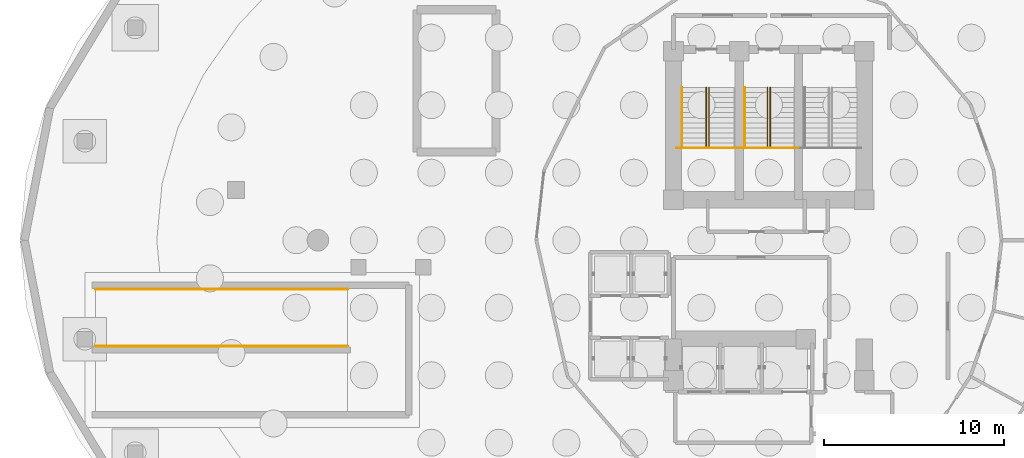
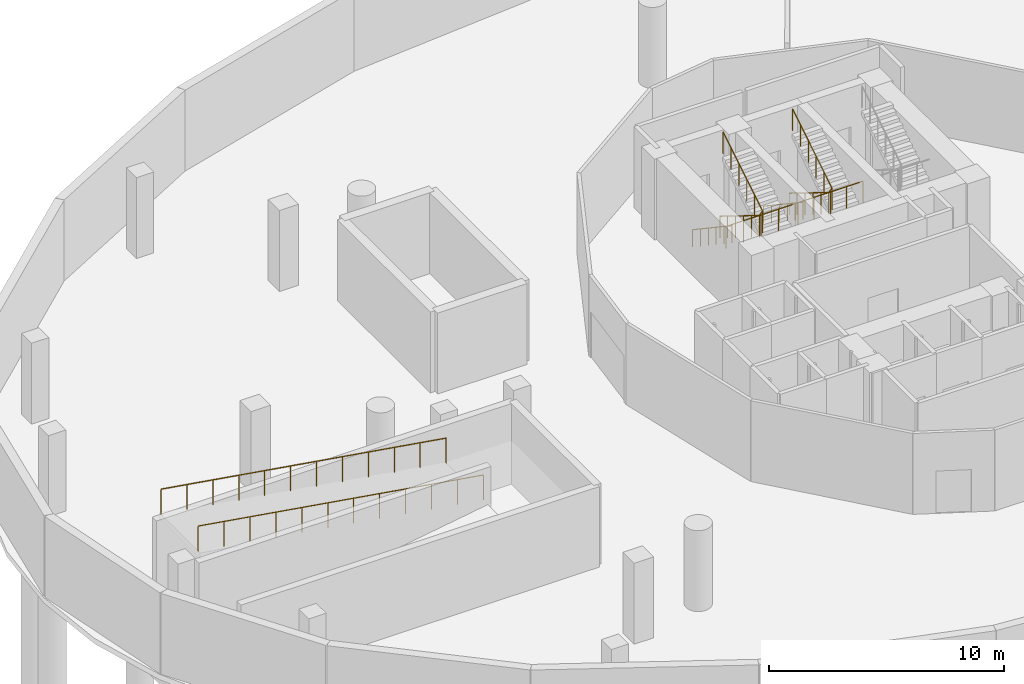
# One storey, part 7 of 9: 8 railings.
"""IFC4 building model written with IfcOpenShell, lengths in metres."""

from ifc_helpers import new_model, si_unit, direction, frame, origin, place, context, subcontext, project, spatial, polyline, outline, extrude, material, type_object, element, save


model = new_model("IFC4")

# Units and contexts
model_context = context("Model", 3, precision=1e-05, world=origin(), true_north=direction((0.0, 1.0)))
body_context = subcontext(model_context, "Body", "Model", "MODEL_VIEW")
ifc_project = project(units=[si_unit("LENGTHUNIT", "METRE"), si_unit("AREAUNIT", "SQUARE_METRE"), si_unit("VOLUMEUNIT", "CUBIC_METRE"), si_unit("PLANEANGLEUNIT", "RADIAN"), si_unit("MASSUNIT", "GRAM", prefix="KILO")], contexts=[model_context])

# Site, building, storey
site_placement = place(None, origin())
site = spatial("IfcSite", under=ifc_project, at=site_placement, CompositionType="ELEMENT")
building_placement = place(site_placement, origin())
building = spatial("IfcBuilding", under=site, at=building_placement, Name="Nuhasar Tower", CompositionType="ELEMENT")
storey_placement = place(building_placement, frame((0.0, 0.0, -9.0)))
storey = spatial("IfcBuildingStorey", under=building, at=storey_placement, Name="B2", CompositionType="ELEMENT", Elevation=-9.0)

# Railings
ifc_material_1 = material(Name="Steel S355", Category="steel")
railing_type_1 = type_object("IfcRailingType", Name="RLG-STAIR-GUARD-1150", PredefinedType="GUARDRAIL", material=ifc_material_1)
railing_1_placement = place(storey_placement, frame((33.8798828125, 31.925048828125, 2.25)))
element("IfcRailing", 1, at=railing_1_placement, inside=storey, type_object=railing_type_1, Name="B2 Stair ST-01 Guardrail LND", PredefinedType="GUARDRAIL", context=body_context, shape_type="SweptSolid", body=[
    extrude(outline(polyline([(0.024169921875, 0.0), (0.01708984375, 0.01708984375), (0.0, 0.024169921875), (-0.01708984375, 0.01708984375), (-0.024169921875, 0.0), (-0.01708984375, -0.01708984375), (0.0, -0.024169921875), (0.01708984375, -0.01708984375), (0.024169921875, 0.0)])), frame((0.0, 0.0, 1.1259765625), z_axis=(1.0, 0.0, 0.0), x_axis=(0.0, 1.0, 0.0)), (0.0, 0.0, 1.0), 3.420166015625),
    extrude(outline(polyline([(0.02099609375, 0.0), (0.014892578125, 0.014892578125), (0.0, 0.02099609375), (-0.014892578125, 0.014892578125), (-0.02099609375, 0.0), (-0.014892578125, -0.014892578125), (0.0, -0.02099609375), (0.014892578125, -0.014892578125), (0.02099609375, 0.0)])), origin(), (0.0, 0.0, 1.0), 1.101806640625),
    extrude(outline(polyline([(0.02099609375, 0.0), (0.014892578125, 0.014892578125), (0.0, 0.02099609375), (-0.014892578125, 0.014892578125), (-0.02099609375, 0.0), (-0.014892578125, -0.014892578125), (0.0, -0.02099609375), (0.014892578125, -0.014892578125), (0.02099609375, 0.0)])), frame((0.85498046875, 0.0, 0.0)), (0.0, 0.0, 1.0), 1.101806640625),
    extrude(outline(polyline([(0.02099609375, 0.0), (0.014892578125, 0.014892578125), (0.0, 0.02099609375), (-0.014892578125, 0.014892578125), (-0.02099609375, 0.0), (-0.014892578125, -0.014892578125), (0.0, -0.02099609375), (0.014892578125, -0.014892578125), (0.02099609375, 0.0)])), frame((1.7099609375, 0.0, 0.0)), (0.0, 0.0, 1.0), 1.101806640625),
    extrude(outline(polyline([(0.02099609375, 0.0), (0.014892578125, 0.014892578125), (0.0, 0.02099609375), (-0.014892578125, 0.014892578125), (-0.02099609375, 0.0), (-0.014892578125, -0.014892578125), (0.0, -0.02099609375), (0.014892578125, -0.014892578125), (0.02099609375, 0.0)])), frame((2.565185546875, 0.0, 0.0)), (0.0, 0.0, 1.0), 1.101806640625),
    extrude(outline(polyline([(0.02099609375, 0.0), (0.014892578125, 0.014892578125), (0.0, 0.02099609375), (-0.014892578125, 0.014892578125), (-0.02099609375, 0.0), (-0.014892578125, -0.014892578125), (0.0, -0.02099609375), (0.014892578125, -0.014892578125), (0.02099609375, 0.0)])), frame((3.420166015625, 0.0, 0.0)), (0.0, 0.0, 1.0), 1.101806640625),
])
railing_2_placement = place(storey_placement, frame((35.510009765625, 35.284912109375, 0.173095703125)))
element("IfcRailing", 2, at=railing_2_placement, inside=storey, type_object=railing_type_1, Name="B2 Stair ST-01 Guardrail SLT", PredefinedType="GUARDRAIL", context=body_context, shape_type="SweptSolid", body=[
    extrude(outline(polyline([(0.024169921875, 0.0), (0.01708984375, 0.01708984375), (0.0, 0.024169921875), (-0.01708984375, 0.01708984375), (-0.024169921875, 0.0), (-0.01708984375, -0.01708984375), (0.0, -0.024169921875), (0.01708984375, -0.01708984375), (0.024169921875, 0.0)])), frame((0.0, 0.0, 1.1259765625), z_axis=(0.0, -0.850606129759, 0.525803396734), x_axis=(1.0, 0.0, 0.0)), (0.0, 0.0, 1.0), 3.949951171875),
    extrude(outline(polyline([(0.024169921875, 0.0), (0.01708984375, 0.01708984375), (0.0, 0.024169921875), (-0.01708984375, 0.01708984375), (-0.024169921875, 0.0), (-0.01708984375, -0.01708984375), (0.0, -0.024169921875), (0.01708984375, -0.01708984375), (0.024169921875, 0.0)])), frame((0.0, -3.35986328125, 3.20263671875), z_axis=(0.678581247581, 0.0, 0.734525350435), x_axis=(0.0, 1.0, 0.0)), (0.0, 0.0, 1.0), 0.235595703125),
    extrude(outline(polyline([(0.024169921875, 0.0), (0.01708984375, 0.01708984375), (0.0, 0.024169921875), (-0.01708984375, 0.01708984375), (-0.024169921875, 0.0), (-0.01708984375, -0.01708984375), (0.0, -0.024169921875), (0.01708984375, -0.01708984375), (0.024169921875, 0.0)])), frame((0.159912109375, -3.35986328125, 3.3759765625), z_axis=(0.0, 0.850606129759, 0.525803396734), x_axis=(-1.0, 0.0, 0.0)), (0.0, 0.0, 1.0), 3.949951171875),
    extrude(outline(polyline([(0.02099609375, 0.0), (0.014892578125, 0.014892578125), (0.0, 0.02099609375), (-0.014892578125, 0.014892578125), (-0.02099609375, 0.0), (-0.014892578125, -0.014892578125), (0.0, -0.02099609375), (0.014892578125, -0.014892578125), (0.02099609375, 0.0)])), origin(), (0.0, 0.0, 1.0), 1.101806640625),
    extrude(outline(polyline([(0.02099609375, 0.0), (0.014892578125, 0.014892578125), (0.0, 0.02099609375), (-0.014892578125, 0.014892578125), (-0.02099609375, 0.0), (-0.014892578125, -0.014892578125), (0.0, -0.02099609375), (0.014892578125, -0.014892578125), (0.02099609375, 0.0)])), frame((0.0, -0.671875, 0.415283203125)), (0.0, 0.0, 1.0), 1.101806640625),
    extrude(outline(polyline([(0.02099609375, 0.0), (0.014892578125, 0.014892578125), (0.0, 0.02099609375), (-0.014892578125, 0.014892578125), (-0.02099609375, 0.0), (-0.014892578125, -0.014892578125), (0.0, -0.02099609375), (0.014892578125, -0.014892578125), (0.02099609375, 0.0)])), frame((0.0, -1.343994140625, 0.830810546875)), (0.0, 0.0, 1.0), 1.101806640625),
    extrude(outline(polyline([(0.02099609375, 0.0), (0.014892578125, 0.014892578125), (0.0, 0.02099609375), (-0.014892578125, 0.014892578125), (-0.02099609375, 0.0), (-0.014892578125, -0.014892578125), (0.0, -0.02099609375), (0.014892578125, -0.014892578125), (0.02099609375, 0.0)])), frame((0.0, -2.015869140625, 1.24609375)), (0.0, 0.0, 1.0), 1.101806640625),
    extrude(outline(polyline([(0.02099609375, 0.0), (0.014892578125, 0.014892578125), (0.0, 0.02099609375), (-0.014892578125, 0.014892578125), (-0.02099609375, 0.0), (-0.014892578125, -0.014892578125), (0.0, -0.02099609375), (0.014892578125, -0.014892578125), (0.02099609375, 0.0)])), frame((0.0, -2.68798828125, 1.66162109375)), (0.0, 0.0, 1.0), 1.101806640625),
    extrude(outline(polyline([(0.02099609375, 0.0), (0.014892578125, 0.014892578125), (0.0, 0.02099609375), (-0.014892578125, 0.014892578125), (-0.02099609375, 0.0), (-0.014892578125, -0.014892578125), (0.0, -0.02099609375), (0.014892578125, -0.014892578125), (0.02099609375, 0.0)])), frame((0.0, -3.35986328125, 2.076904296875)), (0.0, 0.0, 1.0), 1.101806640625),
    extrude(outline(polyline([(0.02099609375, 0.0), (0.014892578125, 0.014892578125), (0.0, 0.02099609375), (-0.014892578125, 0.014892578125), (-0.02099609375, 0.0), (-0.014892578125, -0.014892578125), (0.0, -0.02099609375), (0.014892578125, -0.014892578125), (0.02099609375, 0.0)])), frame((0.159912109375, -3.35986328125, 2.25)), (0.0, 0.0, 1.0), 1.101806640625),
    extrude(outline(polyline([(0.02099609375, 0.0), (0.014892578125, 0.014892578125), (0.0, 0.02099609375), (-0.014892578125, 0.014892578125), (-0.02099609375, 0.0), (-0.014892578125, -0.014892578125), (0.0, -0.02099609375), (0.014892578125, -0.014892578125), (0.02099609375, 0.0)])), frame((0.159912109375, -2.68798828125, 2.665283203125)), (0.0, 0.0, 1.0), 1.101806640625),
    extrude(outline(polyline([(0.02099609375, 0.0), (0.014892578125, 0.014892578125), (0.0, 0.02099609375), (-0.014892578125, 0.014892578125), (-0.02099609375, 0.0), (-0.014892578125, -0.014892578125), (0.0, -0.02099609375), (0.014892578125, -0.014892578125), (0.02099609375, 0.0)])), frame((0.159912109375, -2.015869140625, 3.080810546875)), (0.0, 0.0, 1.0), 1.101806640625),
    extrude(outline(polyline([(0.02099609375, 0.0), (0.014892578125, 0.014892578125), (0.0, 0.02099609375), (-0.014892578125, 0.014892578125), (-0.02099609375, 0.0), (-0.014892578125, -0.014892578125), (0.0, -0.02099609375), (0.014892578125, -0.014892578125), (0.02099609375, 0.0)])), frame((0.159912109375, -1.343994140625, 3.49609375)), (0.0, 0.0, 1.0), 1.101806640625),
    extrude(outline(polyline([(0.02099609375, 0.0), (0.014892578125, 0.014892578125), (0.0, 0.02099609375), (-0.014892578125, 0.014892578125), (-0.02099609375, 0.0), (-0.014892578125, -0.014892578125), (0.0, -0.02099609375), (0.014892578125, -0.014892578125), (0.02099609375, 0.0)])), frame((0.159912109375, -0.671875, 3.91162109375)), (0.0, 0.0, 1.0), 1.101806640625),
    extrude(outline(polyline([(0.02099609375, 0.0), (0.014892578125, 0.014892578125), (0.0, 0.02099609375), (-0.014892578125, 0.014892578125), (-0.02099609375, 0.0), (-0.014892578125, -0.014892578125), (0.0, -0.02099609375), (0.014892578125, -0.014892578125), (0.02099609375, 0.0)])), frame((0.159912109375, 0.0, 4.326904296875)), (0.0, 0.0, 1.0), 1.101806640625),
])
railing_3_placement = place(storey_placement, frame((37.39990234375, 31.925048828125, 2.25)))
element("IfcRailing", 3, at=railing_3_placement, inside=storey, type_object=railing_type_1, Name="B2 Stair ST-03 Guardrail LND", PredefinedType="GUARDRAIL", context=body_context, shape_type="SweptSolid", body=[
    extrude(outline(polyline([(0.024169921875, 0.0), (0.01708984375, 0.01708984375), (0.0, 0.024169921875), (-0.01708984375, 0.01708984375), (-0.024169921875, 0.0), (-0.01708984375, -0.01708984375), (0.0, -0.024169921875), (0.01708984375, -0.01708984375), (0.024169921875, 0.0)])), frame((0.0, 0.0, 1.1259765625), z_axis=(1.0, 0.0, 0.0), x_axis=(0.0, 1.0, 0.0)), (0.0, 0.0, 1.0), 3.2001953125),
    extrude(outline(polyline([(0.02099609375, 0.0), (0.014892578125, 0.014892578125), (0.0, 0.02099609375), (-0.014892578125, 0.014892578125), (-0.02099609375, 0.0), (-0.014892578125, -0.014892578125), (0.0, -0.02099609375), (0.014892578125, -0.014892578125), (0.02099609375, 0.0)])), origin(), (0.0, 0.0, 1.0), 1.101806640625),
    extrude(outline(polyline([(0.02099609375, 0.0), (0.014892578125, 0.014892578125), (0.0, 0.02099609375), (-0.014892578125, 0.014892578125), (-0.02099609375, 0.0), (-0.014892578125, -0.014892578125), (0.0, -0.02099609375), (0.014892578125, -0.014892578125), (0.02099609375, 0.0)])), frame((0.800048828125, 0.0, 0.0)), (0.0, 0.0, 1.0), 1.101806640625),
    extrude(outline(polyline([(0.02099609375, 0.0), (0.014892578125, 0.014892578125), (0.0, 0.02099609375), (-0.014892578125, 0.014892578125), (-0.02099609375, 0.0), (-0.014892578125, -0.014892578125), (0.0, -0.02099609375), (0.014892578125, -0.014892578125), (0.02099609375, 0.0)])), frame((1.60009765625, 0.0, 0.0)), (0.0, 0.0, 1.0), 1.101806640625),
    extrude(outline(polyline([(0.02099609375, 0.0), (0.014892578125, 0.014892578125), (0.0, 0.02099609375), (-0.014892578125, 0.014892578125), (-0.02099609375, 0.0), (-0.014892578125, -0.014892578125), (0.0, -0.02099609375), (0.014892578125, -0.014892578125), (0.02099609375, 0.0)])), frame((2.400146484375, 0.0, 0.0)), (0.0, 0.0, 1.0), 1.101806640625),
    extrude(outline(polyline([(0.02099609375, 0.0), (0.014892578125, 0.014892578125), (0.0, 0.02099609375), (-0.014892578125, 0.014892578125), (-0.02099609375, 0.0), (-0.014892578125, -0.014892578125), (0.0, -0.02099609375), (0.014892578125, -0.014892578125), (0.02099609375, 0.0)])), frame((3.2001953125, 0.0, 0.0)), (0.0, 0.0, 1.0), 1.101806640625),
])
railing_4_placement = place(storey_placement, frame((38.919921875, 35.284912109375, 0.173095703125)))
element("IfcRailing", 4, at=railing_4_placement, inside=storey, type_object=railing_type_1, Name="B2 Stair ST-03 Guardrail SLT", PredefinedType="GUARDRAIL", context=body_context, shape_type="SweptSolid", body=[
    extrude(outline(polyline([(0.024169921875, 0.0), (0.01708984375, 0.01708984375), (0.0, 0.024169921875), (-0.01708984375, 0.01708984375), (-0.024169921875, 0.0), (-0.01708984375, -0.01708984375), (0.0, -0.024169921875), (0.01708984375, -0.01708984375), (0.024169921875, 0.0)])), frame((0.0, 0.0, 1.1259765625), z_axis=(0.0, -0.850606129759, 0.525803396734), x_axis=(1.0, 0.0, 0.0)), (0.0, 0.0, 1.0), 3.949951171875),
    extrude(outline(polyline([(0.024169921875, 0.0), (0.01708984375, 0.01708984375), (0.0, 0.024169921875), (-0.01708984375, 0.01708984375), (-0.024169921875, 0.0), (-0.01708984375, -0.01708984375), (0.0, -0.024169921875), (0.01708984375, -0.01708984375), (0.024169921875, 0.0)])), frame((0.0, -3.35986328125, 3.20263671875), z_axis=(0.679139610055, 0.0, 0.734009121234), x_axis=(0.0, 1.0, 0.0)), (0.0, 0.0, 1.0), 0.23583984375),
    extrude(outline(polyline([(0.024169921875, 0.0), (0.01708984375, 0.01708984375), (0.0, 0.024169921875), (-0.01708984375, 0.01708984375), (-0.024169921875, 0.0), (-0.01708984375, -0.01708984375), (0.0, -0.024169921875), (0.01708984375, -0.01708984375), (0.024169921875, 0.0)])), frame((0.16015625, -3.35986328125, 3.3759765625), z_axis=(0.0, 0.850606129759, 0.525803396734), x_axis=(-1.0, 0.0, 0.0)), (0.0, 0.0, 1.0), 3.949951171875),
    extrude(outline(polyline([(0.02099609375, 0.0), (0.014892578125, 0.014892578125), (0.0, 0.02099609375), (-0.014892578125, 0.014892578125), (-0.02099609375, 0.0), (-0.014892578125, -0.014892578125), (0.0, -0.02099609375), (0.014892578125, -0.014892578125), (0.02099609375, 0.0)])), origin(), (0.0, 0.0, 1.0), 1.101806640625),
    extrude(outline(polyline([(0.02099609375, 0.0), (0.014892578125, 0.014892578125), (0.0, 0.02099609375), (-0.014892578125, 0.014892578125), (-0.02099609375, 0.0), (-0.014892578125, -0.014892578125), (0.0, -0.02099609375), (0.014892578125, -0.014892578125), (0.02099609375, 0.0)])), frame((0.0, -0.671875, 0.415283203125)), (0.0, 0.0, 1.0), 1.101806640625),
    extrude(outline(polyline([(0.02099609375, 0.0), (0.014892578125, 0.014892578125), (0.0, 0.02099609375), (-0.014892578125, 0.014892578125), (-0.02099609375, 0.0), (-0.014892578125, -0.014892578125), (0.0, -0.02099609375), (0.014892578125, -0.014892578125), (0.02099609375, 0.0)])), frame((0.0, -1.343994140625, 0.830810546875)), (0.0, 0.0, 1.0), 1.101806640625),
    extrude(outline(polyline([(0.02099609375, 0.0), (0.014892578125, 0.014892578125), (0.0, 0.02099609375), (-0.014892578125, 0.014892578125), (-0.02099609375, 0.0), (-0.014892578125, -0.014892578125), (0.0, -0.02099609375), (0.014892578125, -0.014892578125), (0.02099609375, 0.0)])), frame((0.0, -2.015869140625, 1.24609375)), (0.0, 0.0, 1.0), 1.101806640625),
    extrude(outline(polyline([(0.02099609375, 0.0), (0.014892578125, 0.014892578125), (0.0, 0.02099609375), (-0.014892578125, 0.014892578125), (-0.02099609375, 0.0), (-0.014892578125, -0.014892578125), (0.0, -0.02099609375), (0.014892578125, -0.014892578125), (0.02099609375, 0.0)])), frame((0.0, -2.68798828125, 1.66162109375)), (0.0, 0.0, 1.0), 1.101806640625),
    extrude(outline(polyline([(0.02099609375, 0.0), (0.014892578125, 0.014892578125), (0.0, 0.02099609375), (-0.014892578125, 0.014892578125), (-0.02099609375, 0.0), (-0.014892578125, -0.014892578125), (0.0, -0.02099609375), (0.014892578125, -0.014892578125), (0.02099609375, 0.0)])), frame((0.0, -3.35986328125, 2.076904296875)), (0.0, 0.0, 1.0), 1.101806640625),
    extrude(outline(polyline([(0.02099609375, 0.0), (0.014892578125, 0.014892578125), (0.0, 0.02099609375), (-0.014892578125, 0.014892578125), (-0.02099609375, 0.0), (-0.014892578125, -0.014892578125), (0.0, -0.02099609375), (0.014892578125, -0.014892578125), (0.02099609375, 0.0)])), frame((0.16015625, -3.35986328125, 2.25)), (0.0, 0.0, 1.0), 1.101806640625),
    extrude(outline(polyline([(0.02099609375, 0.0), (0.014892578125, 0.014892578125), (0.0, 0.02099609375), (-0.014892578125, 0.014892578125), (-0.02099609375, 0.0), (-0.014892578125, -0.014892578125), (0.0, -0.02099609375), (0.014892578125, -0.014892578125), (0.02099609375, 0.0)])), frame((0.16015625, -2.68798828125, 2.665283203125)), (0.0, 0.0, 1.0), 1.101806640625),
    extrude(outline(polyline([(0.02099609375, 0.0), (0.014892578125, 0.014892578125), (0.0, 0.02099609375), (-0.014892578125, 0.014892578125), (-0.02099609375, 0.0), (-0.014892578125, -0.014892578125), (0.0, -0.02099609375), (0.014892578125, -0.014892578125), (0.02099609375, 0.0)])), frame((0.16015625, -2.015869140625, 3.080810546875)), (0.0, 0.0, 1.0), 1.101806640625),
    extrude(outline(polyline([(0.02099609375, 0.0), (0.014892578125, 0.014892578125), (0.0, 0.02099609375), (-0.014892578125, 0.014892578125), (-0.02099609375, 0.0), (-0.014892578125, -0.014892578125), (0.0, -0.02099609375), (0.014892578125, -0.014892578125), (0.02099609375, 0.0)])), frame((0.16015625, -1.343994140625, 3.49609375)), (0.0, 0.0, 1.0), 1.101806640625),
    extrude(outline(polyline([(0.02099609375, 0.0), (0.014892578125, 0.014892578125), (0.0, 0.02099609375), (-0.014892578125, 0.014892578125), (-0.02099609375, 0.0), (-0.014892578125, -0.014892578125), (0.0, -0.02099609375), (0.014892578125, -0.014892578125), (0.02099609375, 0.0)])), frame((0.16015625, -0.671875, 3.91162109375)), (0.0, 0.0, 1.0), 1.101806640625),
    extrude(outline(polyline([(0.02099609375, 0.0), (0.014892578125, 0.014892578125), (0.0, 0.02099609375), (-0.014892578125, 0.014892578125), (-0.02099609375, 0.0), (-0.014892578125, -0.014892578125), (0.0, -0.02099609375), (0.014892578125, -0.014892578125), (0.02099609375, 0.0)])), frame((0.16015625, 0.0, 4.326904296875)), (0.0, 0.0, 1.0), 1.101806640625),
])
ifc_material_2 = material(Name="Stainless Steel 316L", Category="steel")
railing_type_2 = type_object("IfcRailingType", Name="RLG-STAIR-HAND-920", PredefinedType="HANDRAIL", material=ifc_material_2)
railing_5_placement = place(storey_placement, frame((34.169921875, 35.284912109375, 0.173095703125)))
element("IfcRailing", 5, at=railing_5_placement, inside=storey, type_object=railing_type_2, Name="B2 Stair ST-01 Handrail HND1", PredefinedType="HANDRAIL", context=body_context, shape_type="SweptSolid", body=[
    extrude(outline(polyline([(0.024169921875, 0.0), (0.01708984375, 0.01708984375), (0.0, 0.024169921875), (-0.01708984375, 0.01708984375), (-0.024169921875, 0.0), (-0.01708984375, -0.01708984375), (0.0, -0.024169921875), (0.01708984375, -0.01708984375), (0.024169921875, 0.0)])), frame((0.0, 0.0, 0.89599609375), z_axis=(0.0, -0.830896709279, 0.556426687452), x_axis=(1.0, 0.0, 0.0)), (0.0, 0.0, 1.0), 4.043701171875),
    extrude(outline(polyline([(0.02099609375, 0.0), (0.014892578125, 0.014892578125), (0.0, 0.02099609375), (-0.014892578125, 0.014892578125), (-0.02099609375, 0.0), (-0.014892578125, -0.014892578125), (0.0, -0.02099609375), (0.014892578125, -0.014892578125), (0.02099609375, 0.0)])), origin(), (0.0, 0.0, 1.0), 0.871826171875),
    extrude(outline(polyline([(0.02099609375, 0.0), (0.014892578125, 0.014892578125), (0.0, 0.02099609375), (-0.014892578125, 0.014892578125), (-0.02099609375, 0.0), (-0.014892578125, -0.014892578125), (0.0, -0.02099609375), (0.014892578125, -0.014892578125), (0.02099609375, 0.0)])), frame((0.0, -0.671875, 0.449951171875)), (0.0, 0.0, 1.0), 0.871826171875),
    extrude(outline(polyline([(0.02099609375, 0.0), (0.014892578125, 0.014892578125), (0.0, 0.02099609375), (-0.014892578125, 0.014892578125), (-0.02099609375, 0.0), (-0.014892578125, -0.014892578125), (0.0, -0.02099609375), (0.014892578125, -0.014892578125), (0.02099609375, 0.0)])), frame((0.0, -1.343994140625, 0.89990234375)), (0.0, 0.0, 1.0), 0.871826171875),
    extrude(outline(polyline([(0.02099609375, 0.0), (0.014892578125, 0.014892578125), (0.0, 0.02099609375), (-0.014892578125, 0.014892578125), (-0.02099609375, 0.0), (-0.014892578125, -0.014892578125), (0.0, -0.02099609375), (0.014892578125, -0.014892578125), (0.02099609375, 0.0)])), frame((0.0, -2.015869140625, 1.35009765625)), (0.0, 0.0, 1.0), 0.871826171875),
    extrude(outline(polyline([(0.02099609375, 0.0), (0.014892578125, 0.014892578125), (0.0, 0.02099609375), (-0.014892578125, 0.014892578125), (-0.02099609375, 0.0), (-0.014892578125, -0.014892578125), (0.0, -0.02099609375), (0.014892578125, -0.014892578125), (0.02099609375, 0.0)])), frame((0.0, -2.68798828125, 1.800048828125)), (0.0, 0.0, 1.0), 0.871826171875),
    extrude(outline(polyline([(0.02099609375, 0.0), (0.014892578125, 0.014892578125), (0.0, 0.02099609375), (-0.014892578125, 0.014892578125), (-0.02099609375, 0.0), (-0.014892578125, -0.014892578125), (0.0, -0.02099609375), (0.014892578125, -0.014892578125), (0.02099609375, 0.0)])), frame((0.0, -3.35986328125, 2.25)), (0.0, 0.0, 1.0), 0.871826171875),
])
railing_6_placement = place(storey_placement, frame((37.659912109375, 35.284912109375, 0.173095703125)))
element("IfcRailing", 6, at=railing_6_placement, inside=storey, type_object=railing_type_2, Name="B2 Stair ST-03 Handrail HND1", PredefinedType="HANDRAIL", context=body_context, shape_type="SweptSolid", body=[
    extrude(outline(polyline([(0.024169921875, 0.0), (0.01708984375, 0.01708984375), (0.0, 0.024169921875), (-0.01708984375, 0.01708984375), (-0.024169921875, 0.0), (-0.01708984375, -0.01708984375), (0.0, -0.024169921875), (0.01708984375, -0.01708984375), (0.024169921875, 0.0)])), frame((0.0, 0.0, 0.89599609375), z_axis=(0.0, -0.830896709279, 0.556426687452), x_axis=(1.0, 0.0, 0.0)), (0.0, 0.0, 1.0), 4.043701171875),
    extrude(outline(polyline([(0.02099609375, 0.0), (0.014892578125, 0.014892578125), (0.0, 0.02099609375), (-0.014892578125, 0.014892578125), (-0.02099609375, 0.0), (-0.014892578125, -0.014892578125), (0.0, -0.02099609375), (0.014892578125, -0.014892578125), (0.02099609375, 0.0)])), origin(), (0.0, 0.0, 1.0), 0.871826171875),
    extrude(outline(polyline([(0.02099609375, 0.0), (0.014892578125, 0.014892578125), (0.0, 0.02099609375), (-0.014892578125, 0.014892578125), (-0.02099609375, 0.0), (-0.014892578125, -0.014892578125), (0.0, -0.02099609375), (0.014892578125, -0.014892578125), (0.02099609375, 0.0)])), frame((0.0, -0.671875, 0.449951171875)), (0.0, 0.0, 1.0), 0.871826171875),
    extrude(outline(polyline([(0.02099609375, 0.0), (0.014892578125, 0.014892578125), (0.0, 0.02099609375), (-0.014892578125, 0.014892578125), (-0.02099609375, 0.0), (-0.014892578125, -0.014892578125), (0.0, -0.02099609375), (0.014892578125, -0.014892578125), (0.02099609375, 0.0)])), frame((0.0, -1.343994140625, 0.89990234375)), (0.0, 0.0, 1.0), 0.871826171875),
    extrude(outline(polyline([(0.02099609375, 0.0), (0.014892578125, 0.014892578125), (0.0, 0.02099609375), (-0.014892578125, 0.014892578125), (-0.02099609375, 0.0), (-0.014892578125, -0.014892578125), (0.0, -0.02099609375), (0.014892578125, -0.014892578125), (0.02099609375, 0.0)])), frame((0.0, -2.015869140625, 1.35009765625)), (0.0, 0.0, 1.0), 0.871826171875),
    extrude(outline(polyline([(0.02099609375, 0.0), (0.014892578125, 0.014892578125), (0.0, 0.02099609375), (-0.014892578125, 0.014892578125), (-0.02099609375, 0.0), (-0.014892578125, -0.014892578125), (0.0, -0.02099609375), (0.014892578125, -0.014892578125), (0.02099609375, 0.0)])), frame((0.0, -2.68798828125, 1.800048828125)), (0.0, 0.0, 1.0), 0.871826171875),
    extrude(outline(polyline([(0.02099609375, 0.0), (0.014892578125, 0.014892578125), (0.0, 0.02099609375), (-0.014892578125, 0.014892578125), (-0.02099609375, 0.0), (-0.014892578125, -0.014892578125), (0.0, -0.02099609375), (0.014892578125, -0.014892578125), (0.02099609375, 0.0)])), frame((0.0, -3.35986328125, 2.25)), (0.0, 0.0, 1.0), 0.871826171875),
])
railing_type_3 = type_object("IfcRailingType", Name="RLG-WIND-1320", PredefinedType="GUARDRAIL", material=ifc_material_2)
railing_7_placement = place(storey_placement, frame((15.60009765625, 20.919921875, 2.25)))
element("IfcRailing", 7, at=railing_7_placement, inside=storey, type_object=railing_type_3, Name="B2 Vehicular Ramp Upper Flight MED Guardrail", PredefinedType="GUARDRAIL", context=body_context, shape_type="SweptSolid", body=[
    extrude(outline(polyline([(0.024169921875, 0.0), (0.01708984375, 0.01708984375), (0.0, 0.024169921875), (-0.01708984375, 0.01708984375), (-0.024169921875, 0.0), (-0.01708984375, -0.01708984375), (0.0, -0.024169921875), (0.01708984375, -0.01708984375), (0.024169921875, 0.0)])), frame((0.0, 0.0, 1.2958984375), z_axis=(-0.987330371277, 0.0, 0.158678095384), x_axis=(0.0, -1.0, 0.0)), (0.0, 0.0, 1.0), 14.1796875),
    extrude(outline(polyline([(0.02099609375, 0.0), (0.014892578125, 0.014892578125), (0.0, 0.02099609375), (-0.014892578125, 0.014892578125), (-0.02099609375, 0.0), (-0.014892578125, -0.014892578125), (0.0, -0.02099609375), (0.014892578125, -0.014892578125), (0.02099609375, 0.0)])), origin(), (0.0, 0.0, 1.0), 1.27197265625),
    extrude(outline(polyline([(0.02099609375, 0.0), (0.014892578125, 0.014892578125), (0.0, 0.02099609375), (-0.014892578125, 0.014892578125), (-0.02099609375, 0.0), (-0.014892578125, -0.014892578125), (0.0, -0.02099609375), (0.014892578125, -0.014892578125), (0.02099609375, 0.0)])), frame((-1.272705078125, 0.0, 0.20458984375)), (0.0, 0.0, 1.0), 1.27197265625),
    extrude(outline(polyline([(0.02099609375, 0.0), (0.014892578125, 0.014892578125), (0.0, 0.02099609375), (-0.014892578125, 0.014892578125), (-0.02099609375, 0.0), (-0.014892578125, -0.014892578125), (0.0, -0.02099609375), (0.014892578125, -0.014892578125), (0.02099609375, 0.0)])), frame((-2.54541015625, 0.0, 0.4091796875)), (0.0, 0.0, 1.0), 1.27197265625),
    extrude(outline(polyline([(0.02099609375, 0.0), (0.014892578125, 0.014892578125), (0.0, 0.02099609375), (-0.014892578125, 0.014892578125), (-0.02099609375, 0.0), (-0.014892578125, -0.014892578125), (0.0, -0.02099609375), (0.014892578125, -0.014892578125), (0.02099609375, 0.0)])), frame((-3.818115234375, 0.0, 0.613525390625)), (0.0, 0.0, 1.0), 1.27197265625),
    extrude(outline(polyline([(0.02099609375, 0.0), (0.014892578125, 0.014892578125), (0.0, 0.02099609375), (-0.014892578125, 0.014892578125), (-0.02099609375, 0.0), (-0.014892578125, -0.014892578125), (0.0, -0.02099609375), (0.014892578125, -0.014892578125), (0.02099609375, 0.0)])), frame((-5.0908203125, 0.0, 0.818115234375)), (0.0, 0.0, 1.0), 1.27197265625),
    extrude(outline(polyline([(0.02099609375, 0.0), (0.014892578125, 0.014892578125), (0.0, 0.02099609375), (-0.014892578125, 0.014892578125), (-0.02099609375, 0.0), (-0.014892578125, -0.014892578125), (0.0, -0.02099609375), (0.014892578125, -0.014892578125), (0.02099609375, 0.0)])), frame((-6.363525390625, 0.0, 1.022705078125)), (0.0, 0.0, 1.0), 1.27197265625),
    extrude(outline(polyline([(0.02099609375, 0.0), (0.014892578125, 0.014892578125), (0.0, 0.02099609375), (-0.014892578125, 0.014892578125), (-0.02099609375, 0.0), (-0.014892578125, -0.014892578125), (0.0, -0.02099609375), (0.014892578125, -0.014892578125), (0.02099609375, 0.0)])), frame((-7.636474609375, 0.0, 1.227294921875)), (0.0, 0.0, 1.0), 1.27197265625),
    extrude(outline(polyline([(0.02099609375, 0.0), (0.014892578125, 0.014892578125), (0.0, 0.02099609375), (-0.014892578125, 0.014892578125), (-0.02099609375, 0.0), (-0.014892578125, -0.014892578125), (0.0, -0.02099609375), (0.014892578125, -0.014892578125), (0.02099609375, 0.0)])), frame((-8.9091796875, 0.0, 1.431884765625)), (0.0, 0.0, 1.0), 1.27197265625),
    extrude(outline(polyline([(0.02099609375, 0.0), (0.014892578125, 0.014892578125), (0.0, 0.02099609375), (-0.014892578125, 0.014892578125), (-0.02099609375, 0.0), (-0.014892578125, -0.014892578125), (0.0, -0.02099609375), (0.014892578125, -0.014892578125), (0.02099609375, 0.0)])), frame((-10.181884765625, 0.0, 1.636474609375)), (0.0, 0.0, 1.0), 1.27197265625),
    extrude(outline(polyline([(0.02099609375, 0.0), (0.014892578125, 0.014892578125), (0.0, 0.02099609375), (-0.014892578125, 0.014892578125), (-0.02099609375, 0.0), (-0.014892578125, -0.014892578125), (0.0, -0.02099609375), (0.014892578125, -0.014892578125), (0.02099609375, 0.0)])), frame((-11.45458984375, 0.0, 1.8408203125)), (0.0, 0.0, 1.0), 1.27197265625),
    extrude(outline(polyline([(0.02099609375, 0.0), (0.014892578125, 0.014892578125), (0.0, 0.02099609375), (-0.014892578125, 0.014892578125), (-0.02099609375, 0.0), (-0.014892578125, -0.014892578125), (0.0, -0.02099609375), (0.014892578125, -0.014892578125), (0.02099609375, 0.0)])), frame((-12.727294921875, 0.0, 2.04541015625)), (0.0, 0.0, 1.0), 1.27197265625),
    extrude(outline(polyline([(0.02099609375, 0.0), (0.014892578125, 0.014892578125), (0.0, 0.02099609375), (-0.014892578125, 0.014892578125), (-0.02099609375, 0.0), (-0.014892578125, -0.014892578125), (0.0, -0.02099609375), (0.014892578125, -0.014892578125), (0.02099609375, 0.0)])), frame((-14.0, 0.0, 2.25)), (0.0, 0.0, 1.0), 1.27197265625),
])
railing_8_placement = place(storey_placement, frame((15.60009765625, 24.080078125, 2.25)))
element("IfcRailing", 8, at=railing_8_placement, inside=storey, type_object=railing_type_3, Name="B2 Vehicular Ramp Upper Flight NTH Guardrail", PredefinedType="GUARDRAIL", context=body_context, shape_type="SweptSolid", body=[
    extrude(outline(polyline([(0.024169921875, 0.0), (0.01708984375, 0.01708984375), (0.0, 0.024169921875), (-0.01708984375, 0.01708984375), (-0.024169921875, 0.0), (-0.01708984375, -0.01708984375), (0.0, -0.024169921875), (0.01708984375, -0.01708984375), (0.024169921875, 0.0)])), frame((0.0, 0.0, 1.2958984375), z_axis=(-0.987330371277, 0.0, 0.158678095384), x_axis=(0.0, -1.0, 0.0)), (0.0, 0.0, 1.0), 14.1796875),
    extrude(outline(polyline([(0.02099609375, 0.0), (0.014892578125, 0.014892578125), (0.0, 0.02099609375), (-0.014892578125, 0.014892578125), (-0.02099609375, 0.0), (-0.014892578125, -0.014892578125), (0.0, -0.02099609375), (0.014892578125, -0.014892578125), (0.02099609375, 0.0)])), origin(), (0.0, 0.0, 1.0), 1.27197265625),
    extrude(outline(polyline([(0.02099609375, 0.0), (0.014892578125, 0.014892578125), (0.0, 0.02099609375), (-0.014892578125, 0.014892578125), (-0.02099609375, 0.0), (-0.014892578125, -0.014892578125), (0.0, -0.02099609375), (0.014892578125, -0.014892578125), (0.02099609375, 0.0)])), frame((-1.272705078125, 0.0, 0.20458984375)), (0.0, 0.0, 1.0), 1.27197265625),
    extrude(outline(polyline([(0.02099609375, 0.0), (0.014892578125, 0.014892578125), (0.0, 0.02099609375), (-0.014892578125, 0.014892578125), (-0.02099609375, 0.0), (-0.014892578125, -0.014892578125), (0.0, -0.02099609375), (0.014892578125, -0.014892578125), (0.02099609375, 0.0)])), frame((-2.54541015625, 0.0, 0.4091796875)), (0.0, 0.0, 1.0), 1.27197265625),
    extrude(outline(polyline([(0.02099609375, 0.0), (0.014892578125, 0.014892578125), (0.0, 0.02099609375), (-0.014892578125, 0.014892578125), (-0.02099609375, 0.0), (-0.014892578125, -0.014892578125), (0.0, -0.02099609375), (0.014892578125, -0.014892578125), (0.02099609375, 0.0)])), frame((-3.818115234375, 0.0, 0.613525390625)), (0.0, 0.0, 1.0), 1.27197265625),
    extrude(outline(polyline([(0.02099609375, 0.0), (0.014892578125, 0.014892578125), (0.0, 0.02099609375), (-0.014892578125, 0.014892578125), (-0.02099609375, 0.0), (-0.014892578125, -0.014892578125), (0.0, -0.02099609375), (0.014892578125, -0.014892578125), (0.02099609375, 0.0)])), frame((-5.0908203125, 0.0, 0.818115234375)), (0.0, 0.0, 1.0), 1.27197265625),
    extrude(outline(polyline([(0.02099609375, 0.0), (0.014892578125, 0.014892578125), (0.0, 0.02099609375), (-0.014892578125, 0.014892578125), (-0.02099609375, 0.0), (-0.014892578125, -0.014892578125), (0.0, -0.02099609375), (0.014892578125, -0.014892578125), (0.02099609375, 0.0)])), frame((-6.363525390625, 0.0, 1.022705078125)), (0.0, 0.0, 1.0), 1.27197265625),
    extrude(outline(polyline([(0.02099609375, 0.0), (0.014892578125, 0.014892578125), (0.0, 0.02099609375), (-0.014892578125, 0.014892578125), (-0.02099609375, 0.0), (-0.014892578125, -0.014892578125), (0.0, -0.02099609375), (0.014892578125, -0.014892578125), (0.02099609375, 0.0)])), frame((-7.636474609375, 0.0, 1.227294921875)), (0.0, 0.0, 1.0), 1.27197265625),
    extrude(outline(polyline([(0.02099609375, 0.0), (0.014892578125, 0.014892578125), (0.0, 0.02099609375), (-0.014892578125, 0.014892578125), (-0.02099609375, 0.0), (-0.014892578125, -0.014892578125), (0.0, -0.02099609375), (0.014892578125, -0.014892578125), (0.02099609375, 0.0)])), frame((-8.9091796875, 0.0, 1.431884765625)), (0.0, 0.0, 1.0), 1.27197265625),
    extrude(outline(polyline([(0.02099609375, 0.0), (0.014892578125, 0.014892578125), (0.0, 0.02099609375), (-0.014892578125, 0.014892578125), (-0.02099609375, 0.0), (-0.014892578125, -0.014892578125), (0.0, -0.02099609375), (0.014892578125, -0.014892578125), (0.02099609375, 0.0)])), frame((-10.181884765625, 0.0, 1.636474609375)), (0.0, 0.0, 1.0), 1.27197265625),
    extrude(outline(polyline([(0.02099609375, 0.0), (0.014892578125, 0.014892578125), (0.0, 0.02099609375), (-0.014892578125, 0.014892578125), (-0.02099609375, 0.0), (-0.014892578125, -0.014892578125), (0.0, -0.02099609375), (0.014892578125, -0.014892578125), (0.02099609375, 0.0)])), frame((-11.45458984375, 0.0, 1.8408203125)), (0.0, 0.0, 1.0), 1.27197265625),
    extrude(outline(polyline([(0.02099609375, 0.0), (0.014892578125, 0.014892578125), (0.0, 0.02099609375), (-0.014892578125, 0.014892578125), (-0.02099609375, 0.0), (-0.014892578125, -0.014892578125), (0.0, -0.02099609375), (0.014892578125, -0.014892578125), (0.02099609375, 0.0)])), frame((-12.727294921875, 0.0, 2.04541015625)), (0.0, 0.0, 1.0), 1.27197265625),
    extrude(outline(polyline([(0.02099609375, 0.0), (0.014892578125, 0.014892578125), (0.0, 0.02099609375), (-0.014892578125, 0.014892578125), (-0.02099609375, 0.0), (-0.014892578125, -0.014892578125), (0.0, -0.02099609375), (0.014892578125, -0.014892578125), (0.02099609375, 0.0)])), frame((-14.0, 0.0, 2.25)), (0.0, 0.0, 1.0), 1.27197265625),
])

save(model, "model.ifc")
